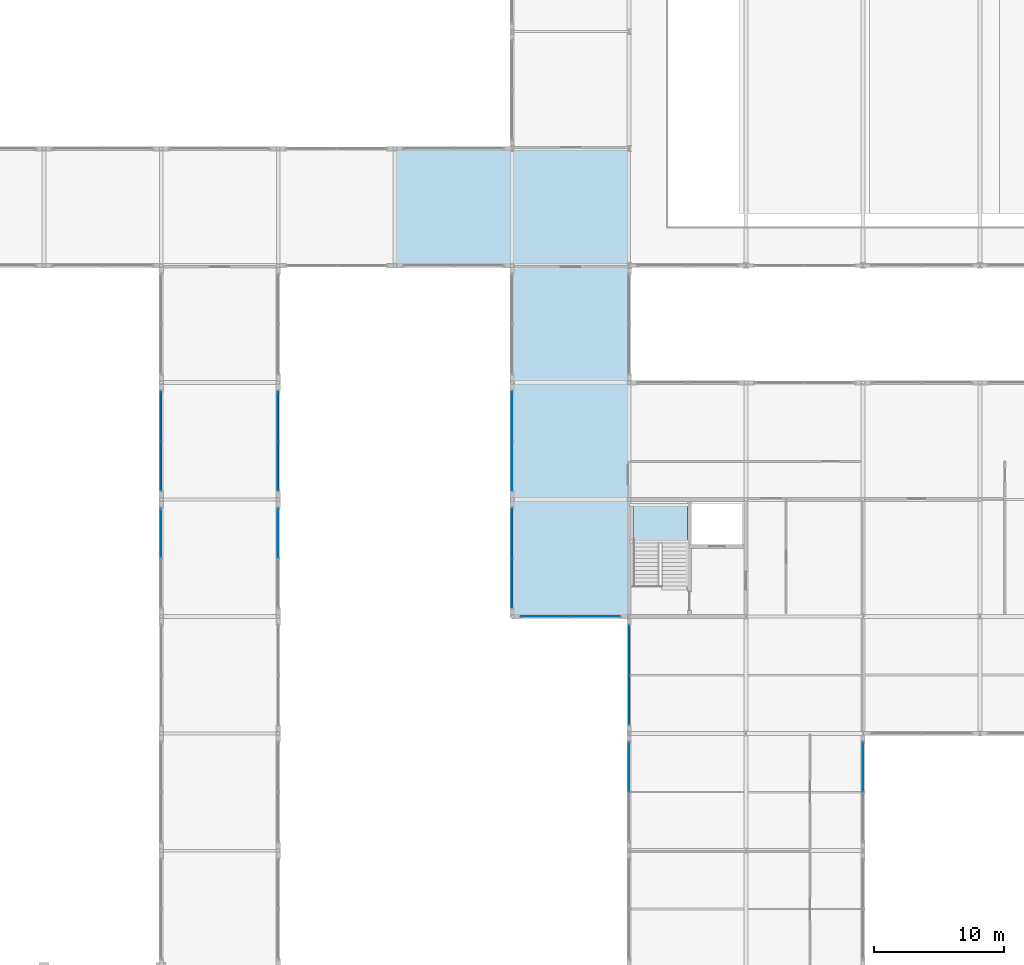
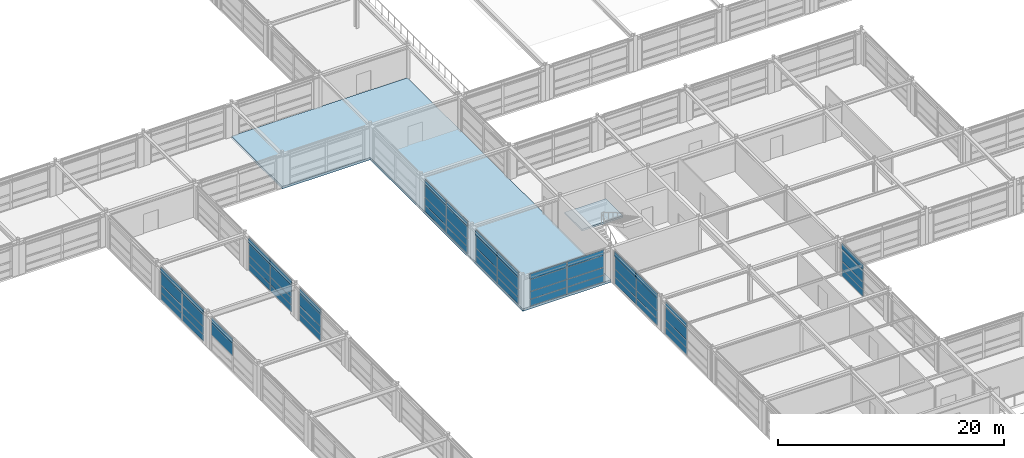
# One storey, part 53 of 79: 62 plates, 2 slabs, 10 elements without a shape of their own.
"""IFC4 building model written with IfcOpenShell, lengths in metres."""

from ifc_helpers import new_model, si_unit, direction, frame, origin, origin_2d, place, context, subcontext, project, spatial, polyline, rectangle, outline, extrude, material, layer, layer_set, type_object, element, aggregate, save


model = new_model("IFC4")

# Units and contexts
model_context = context("Model", 3, precision=1e-05, world=origin(), true_north=direction((0.0, 1.0)))
body_context = subcontext(model_context, "Body", "Model", "MODEL_VIEW")
ifc_project = project(units=[si_unit("LENGTHUNIT", "METRE"), si_unit("AREAUNIT", "SQUARE_METRE"), si_unit("VOLUMEUNIT", "CUBIC_METRE"), si_unit("PLANEANGLEUNIT", "RADIAN"), si_unit("MASSUNIT", "GRAM", prefix="KILO")], contexts=[model_context])

# Site, building, storey
site_placement = place(None, origin())
site = spatial("IfcSite", under=ifc_project, at=site_placement, CompositionType="ELEMENT")
building_placement = place(site_placement, origin())
building = spatial("IfcBuilding", under=site, at=building_placement, Name="Palais des Congres Ocreval", CompositionType="ELEMENT")
storey_placement = place(building_placement, frame((0.0, 0.0, 4.320068359375)))
storey = spatial("IfcBuildingStorey", under=building, at=storey_placement, Name="L01", CompositionType="ELEMENT", Elevation=4.320068359375)

# Curtain wall, plates
ifc_material_1 = material(Name="Anodized bronze aluminium and low-E glass", Category="glass")
curtain_wall_type = type_object("IfcCurtainWallType", Name="Unitised Curtain Wall 7900x3660", PredefinedType="USERDEFINED", material=ifc_material_1)
curtain_wall_1_placement = place(storey_placement, origin())
curtain_wall_1 = element("IfcCurtainWall", 1, at=curtain_wall_1_placement, inside=storey, type_object=curtain_wall_type, Name="Unitised Curtain Wall CW02 L01", ObjectType="UNITISED CURTAIN WALL", PredefinedType="USERDEFINED")
ifc_material_2 = material(Name="Acoustic triple glazing", Category="glass")
ifc_layer_1 = layer(ifc_material_2, 0.0439453125)
ifc_layer_set_1 = layer_set([ifc_layer_1], Name="Acoustic Laminated Glazing Panel 44 (Acoustic triple glazing)")
plate_type_1 = type_object("IfcPlateType", Name="Acoustic Laminated Glazing Panel 44", PredefinedType="CURTAIN_PANEL", material=ifc_layer_set_1)
plate_1_placement = place(storey_placement, frame((108.0, 33.40625, 0.06005859375), z_axis=(0.0, 0.0, 1.0), x_axis=(0.0, 1.0, 0.0)))
plate_1 = element("IfcPlate", 2, at=plate_1_placement, type_object=plate_type_1, Name="Vision Glazing Panel VP02", PredefinedType="CURTAIN_PANEL", context=body_context, shape_type="SweptSolid", body=[
    extrude(rectangle(XDim=3.737548828125, YDim=0.0439453125, at=origin_2d()), origin(), (0.0, 0.0, 1.0), 0.68994140625),
])
plate_2_placement = place(storey_placement, frame((108.0, 33.40625, 0.81005859375), z_axis=(0.0, 0.0, 1.0), x_axis=(0.0, 1.0, 0.0)))
plate_2 = element("IfcPlate", 3, at=plate_2_placement, type_object=plate_type_1, Name="Vision Glazing Panel VP02", PredefinedType="CURTAIN_PANEL", context=body_context, shape_type="SweptSolid", body=[
    extrude(rectangle(XDim=3.737548828125, YDim=0.0439453125, at=origin_2d()), origin(), (0.0, 0.0, 1.0), 0.782470703125),
])
plate_3_placement = place(storey_placement, frame((108.0, 33.40625, 1.65234375), z_axis=(0.0, 0.0, 1.0), x_axis=(0.0, 1.0, 0.0)))
plate_3 = element("IfcPlate", 4, at=plate_3_placement, type_object=plate_type_1, Name="Vision Glazing Panel VP02", PredefinedType="CURTAIN_PANEL", context=body_context, shape_type="SweptSolid", body=[
    extrude(rectangle(XDim=3.737548828125, YDim=0.0439453125, at=origin_2d()), origin(), (0.0, 0.0, 1.0), 1.267578125),
])

curtain_wall_2_placement = place(storey_placement, origin())
curtain_wall_2 = element("IfcCurtainWall", 5, at=curtain_wall_2_placement, inside=storey, type_object=curtain_wall_type, Name="Unitised Curtain Wall CW02 L01", ObjectType="UNITISED CURTAIN WALL", PredefinedType="USERDEFINED")
plate_4_placement = place(storey_placement, frame((99.0, 47.59375, 0.06005859375), z_axis=(0.0, 0.0, 1.0), x_axis=(0.0, 1.0, 0.0)))
plate_4 = element("IfcPlate", 6, at=plate_4_placement, type_object=plate_type_1, Name="Vision Glazing Panel VP02", PredefinedType="CURTAIN_PANEL", context=body_context, shape_type="SweptSolid", body=[
    extrude(rectangle(XDim=3.737548828125, YDim=0.0439453125, at=origin_2d()), origin(), (0.0, 0.0, 1.0), 0.68994140625),
])
plate_5_placement = place(storey_placement, frame((99.0, 47.59375, 0.81005859375), z_axis=(0.0, 0.0, 1.0), x_axis=(0.0, 1.0, 0.0)))
plate_5 = element("IfcPlate", 7, at=plate_5_placement, type_object=plate_type_1, Name="Vision Glazing Panel VP02", PredefinedType="CURTAIN_PANEL", context=body_context, shape_type="SweptSolid", body=[
    extrude(rectangle(XDim=3.737548828125, YDim=0.0439453125, at=origin_2d()), origin(), (0.0, 0.0, 1.0), 0.777099609375),
])
plate_6_placement = place(storey_placement, frame((99.0, 47.59375, 1.64697265625), z_axis=(0.0, 0.0, 1.0), x_axis=(0.0, 1.0, 0.0)))
plate_6 = element("IfcPlate", 8, at=plate_6_placement, type_object=plate_type_1, Name="Vision Glazing Panel VP02", PredefinedType="CURTAIN_PANEL", context=body_context, shape_type="SweptSolid", body=[
    extrude(rectangle(XDim=3.737548828125, YDim=0.0439453125, at=origin_2d()), origin(), (0.0, 0.0, 1.0), 1.262939453125),
])
plate_7_placement = place(storey_placement, frame((99.0, 51.40625, 0.06005859375), z_axis=(0.0, 0.0, 1.0), x_axis=(0.0, 1.0, 0.0)))
plate_7 = element("IfcPlate", 9, at=plate_7_placement, type_object=plate_type_1, Name="Vision Glazing Panel VP02", PredefinedType="CURTAIN_PANEL", context=body_context, shape_type="SweptSolid", body=[
    extrude(rectangle(XDim=3.737548828125, YDim=0.0439453125, at=origin_2d()), origin(), (0.0, 0.0, 1.0), 0.68994140625),
])
plate_8_placement = place(storey_placement, frame((99.0, 51.40625, 0.81005859375), z_axis=(0.0, 0.0, 1.0), x_axis=(0.0, 1.0, 0.0)))
plate_8 = element("IfcPlate", 10, at=plate_8_placement, type_object=plate_type_1, Name="Vision Glazing Panel VP02", PredefinedType="CURTAIN_PANEL", context=body_context, shape_type="SweptSolid", body=[
    extrude(rectangle(XDim=3.737548828125, YDim=0.0439453125, at=origin_2d()), origin(), (0.0, 0.0, 1.0), 0.777099609375),
])
plate_9_placement = place(storey_placement, frame((99.0, 51.40625, 1.64697265625), z_axis=(0.0, 0.0, 1.0), x_axis=(0.0, 1.0, 0.0)))
plate_9 = element("IfcPlate", 11, at=plate_9_placement, type_object=plate_type_1, Name="Vision Glazing Panel VP02", PredefinedType="CURTAIN_PANEL", context=body_context, shape_type="SweptSolid", body=[
    extrude(rectangle(XDim=3.737548828125, YDim=0.0439453125, at=origin_2d()), origin(), (0.0, 0.0, 1.0), 1.262939453125),
])

curtain_wall_3_placement = place(storey_placement, origin())
curtain_wall_3 = element("IfcCurtainWall", 12, at=curtain_wall_3_placement, inside=storey, type_object=curtain_wall_type, Name="Unitised Curtain Wall CW02 L01", ObjectType="UNITISED CURTAIN WALL", PredefinedType="USERDEFINED")
plate_10_placement = place(storey_placement, frame((81.0, 60.40625, 0.06005859375), z_axis=(0.0, 0.0, 1.0), x_axis=(0.0, -1.0, 0.0)))
plate_10 = element("IfcPlate", 13, at=plate_10_placement, type_object=plate_type_1, Name="Vision Glazing Panel VP02", PredefinedType="CURTAIN_PANEL", context=body_context, shape_type="SweptSolid", body=[
    extrude(rectangle(XDim=3.737548828125, YDim=0.0439453125, at=origin_2d()), origin(), (0.0, 0.0, 1.0), 0.68994140625),
])
plate_11_placement = place(storey_placement, frame((81.0, 60.40625, 0.81005859375), z_axis=(0.0, 0.0, 1.0), x_axis=(0.0, -1.0, 0.0)))
plate_11 = element("IfcPlate", 14, at=plate_11_placement, type_object=plate_type_1, Name="Vision Glazing Panel VP02", PredefinedType="CURTAIN_PANEL", context=body_context, shape_type="SweptSolid", body=[
    extrude(rectangle(XDim=3.737548828125, YDim=0.0439453125, at=origin_2d()), origin(), (0.0, 0.0, 1.0), 0.777099609375),
])
plate_12_placement = place(storey_placement, frame((81.0, 60.40625, 1.64697265625), z_axis=(0.0, 0.0, 1.0), x_axis=(0.0, -1.0, 0.0)))
plate_12 = element("IfcPlate", 15, at=plate_12_placement, type_object=plate_type_1, Name="Vision Glazing Panel VP02", PredefinedType="CURTAIN_PANEL", context=body_context, shape_type="SweptSolid", body=[
    extrude(rectangle(XDim=3.737548828125, YDim=0.0439453125, at=origin_2d()), origin(), (0.0, 0.0, 1.0), 1.262939453125),
])
plate_13_placement = place(storey_placement, frame((81.0, 56.59375, 0.06005859375), z_axis=(0.0, 0.0, 1.0), x_axis=(0.0, -1.0, 0.0)))
plate_13 = element("IfcPlate", 16, at=plate_13_placement, type_object=plate_type_1, Name="Vision Glazing Panel VP02", PredefinedType="CURTAIN_PANEL", context=body_context, shape_type="SweptSolid", body=[
    extrude(rectangle(XDim=3.737548828125, YDim=0.0439453125, at=origin_2d()), origin(), (0.0, 0.0, 1.0), 0.68994140625),
])
plate_14_placement = place(storey_placement, frame((81.0, 56.59375, 0.81005859375), z_axis=(0.0, 0.0, 1.0), x_axis=(0.0, -1.0, 0.0)))
plate_14 = element("IfcPlate", 17, at=plate_14_placement, type_object=plate_type_1, Name="Vision Glazing Panel VP02", PredefinedType="CURTAIN_PANEL", context=body_context, shape_type="SweptSolid", body=[
    extrude(rectangle(XDim=3.737548828125, YDim=0.0439453125, at=origin_2d()), origin(), (0.0, 0.0, 1.0), 0.777099609375),
])
plate_15_placement = place(storey_placement, frame((81.0, 56.59375, 1.64697265625), z_axis=(0.0, 0.0, 1.0), x_axis=(0.0, -1.0, 0.0)))
plate_15 = element("IfcPlate", 18, at=plate_15_placement, type_object=plate_type_1, Name="Vision Glazing Panel VP02", PredefinedType="CURTAIN_PANEL", context=body_context, shape_type="SweptSolid", body=[
    extrude(rectangle(XDim=3.737548828125, YDim=0.0439453125, at=origin_2d()), origin(), (0.0, 0.0, 1.0), 1.262939453125),
])

# Curtain wall, plate
curtain_wall_4_placement = place(storey_placement, origin())
curtain_wall_4 = element("IfcCurtainWall", 19, at=curtain_wall_4_placement, inside=storey, type_object=curtain_wall_type, Name="Unitised Curtain Wall CW02 L01", ObjectType="UNITISED CURTAIN WALL", PredefinedType="USERDEFINED")
plate_16_placement = place(storey_placement, frame((72.0, 51.40625, 1.64697265625), z_axis=(0.0, 0.0, 1.0), x_axis=(0.0, 1.0, 0.0)))
plate_16 = element("IfcPlate", 20, at=plate_16_placement, type_object=plate_type_1, Name="Vision Glazing Panel VP02", PredefinedType="CURTAIN_PANEL", context=body_context, shape_type="SweptSolid", body=[
    extrude(rectangle(XDim=3.737548828125, YDim=0.0439453125, at=origin_2d()), origin(), (0.0, 0.0, 1.0), 1.262939453125),
])

# Plate
ifc_material_3 = material(Name="Anodized bronze aluminium", Category="aluminium")
ifc_layer_2 = layer(ifc_material_3, 0.06005859375)
ifc_layer_set_2 = layer_set([ifc_layer_2], Name="Anodized Bronze Spandrel Cassette 60 (Anodized bronze aluminium)")
plate_type_2 = type_object("IfcPlateType", Name="Anodized Bronze Spandrel Cassette 60", PredefinedType="SHEET", material=ifc_layer_set_2)
plate_17_placement = place(storey_placement, frame((108.0, 33.40625, 2.97998046875), z_axis=(0.0, 0.0, 1.0), x_axis=(0.0, 1.0, 0.0)))
plate_17 = element("IfcPlate", 21, at=plate_17_placement, type_object=plate_type_2, Name="Spandrel Sheet SPN1", PredefinedType="SHEET", context=body_context, shape_type="SweptSolid", body=[
    extrude(rectangle(XDim=3.737548828125, YDim=0.06005859375, at=origin_2d()), origin(), (0.0, 0.0, 1.0), 0.56005859375),
])

aggregate(curtain_wall_1, [plate_1, plate_2, plate_3, plate_17])

# Curtain wall, plates
curtain_wall_5_placement = place(storey_placement, origin())
curtain_wall_5 = element("IfcCurtainWall", 22, at=curtain_wall_5_placement, inside=storey, type_object=curtain_wall_type, Name="Unitised Curtain Wall CW02 L01", ObjectType="UNITISED CURTAIN WALL", PredefinedType="USERDEFINED")
plate_18_placement = place(storey_placement, frame((105.40625, 45.0, 2.969970703125), z_axis=(0.0, 0.0, 1.0), x_axis=(-1.0, 0.0, 0.0)))
plate_18 = element("IfcPlate", 23, at=plate_18_placement, type_object=plate_type_2, Name="Spandrel Sheet SPN1", PredefinedType="SHEET", context=body_context, shape_type="SweptSolid", body=[
    extrude(rectangle(XDim=3.737548828125, YDim=0.06005859375, at=origin_2d()), origin(), (0.0, 0.0, 1.0), 0.56005859375),
])
plate_19_placement = place(storey_placement, frame((101.59375, 45.0, 2.969970703125), z_axis=(0.0, 0.0, 1.0), x_axis=(-1.0, 0.0, 0.0)))
plate_19 = element("IfcPlate", 24, at=plate_19_placement, type_object=plate_type_2, Name="Spandrel Sheet SPN1", PredefinedType="SHEET", context=body_context, shape_type="SweptSolid", body=[
    extrude(rectangle(XDim=3.737548828125, YDim=0.06005859375, at=origin_2d()), origin(), (0.0, 0.0, 1.0), 0.56005859375),
])

curtain_wall_6_placement = place(storey_placement, origin())
curtain_wall_6 = element("IfcCurtainWall", 25, at=curtain_wall_6_placement, inside=storey, type_object=curtain_wall_type, Name="Unitised Curtain Wall CW02 L01", ObjectType="UNITISED CURTAIN WALL", PredefinedType="USERDEFINED")
plate_20_placement = place(storey_placement, frame((99.0, 56.59375, 2.969970703125), z_axis=(0.0, 0.0, 1.0), x_axis=(0.0, 1.0, 0.0)))
plate_20 = element("IfcPlate", 26, at=plate_20_placement, type_object=plate_type_2, Name="Spandrel Sheet SPN1", PredefinedType="SHEET", context=body_context, shape_type="SweptSolid", body=[
    extrude(rectangle(XDim=3.737548828125, YDim=0.06005859375, at=origin_2d()), origin(), (0.0, 0.0, 1.0), 0.56005859375),
])
plate_21_placement = place(storey_placement, frame((99.0, 60.40625, 2.969970703125), z_axis=(0.0, 0.0, 1.0), x_axis=(0.0, 1.0, 0.0)))
plate_21 = element("IfcPlate", 27, at=plate_21_placement, type_object=plate_type_2, Name="Spandrel Sheet SPN1", PredefinedType="SHEET", context=body_context, shape_type="SweptSolid", body=[
    extrude(rectangle(XDim=3.737548828125, YDim=0.06005859375, at=origin_2d()), origin(), (0.0, 0.0, 1.0), 0.56005859375),
])

# Curtain wall, plate
curtain_wall_7_placement = place(storey_placement, origin())
curtain_wall_7 = element("IfcCurtainWall", 28, at=curtain_wall_7_placement, inside=storey, type_object=curtain_wall_type, Name="Unitised Curtain Wall CW02 L01", ObjectType="UNITISED CURTAIN WALL", PredefinedType="USERDEFINED")
plate_22_placement = place(storey_placement, frame((81.0, 51.40625, 2.969970703125), z_axis=(0.0, 0.0, 1.0), x_axis=(0.0, -1.0, 0.0)))
plate_22 = element("IfcPlate", 29, at=plate_22_placement, type_object=plate_type_2, Name="Spandrel Sheet SPN1", PredefinedType="SHEET", context=body_context, shape_type="SweptSolid", body=[
    extrude(rectangle(XDim=3.737548828125, YDim=0.06005859375, at=origin_2d()), origin(), (0.0, 0.0, 1.0), 0.56005859375),
])

# Plate
plate_23_placement = place(storey_placement, frame((72.0, 51.40625, 2.969970703125), z_axis=(0.0, 0.0, 1.0), x_axis=(0.0, 1.0, 0.0)))
plate_23 = element("IfcPlate", 30, at=plate_23_placement, type_object=plate_type_2, Name="Spandrel Sheet SPN1", PredefinedType="SHEET", context=body_context, shape_type="SweptSolid", body=[
    extrude(rectangle(XDim=3.737548828125, YDim=0.06005859375, at=origin_2d()), origin(), (0.0, 0.0, 1.0), 0.56005859375),
])

aggregate(curtain_wall_4, [plate_16, plate_23])

# Curtain wall, plate
curtain_wall_8_placement = place(storey_placement, origin())
curtain_wall_8 = element("IfcCurtainWall", 31, at=curtain_wall_8_placement, inside=storey, type_object=curtain_wall_type, Name="Unitised Curtain Wall CW02 L01", ObjectType="UNITISED CURTAIN WALL", PredefinedType="USERDEFINED")
plate_24_placement = place(storey_placement, frame((126.0, 33.40625, 2.97998046875), z_axis=(0.0, 0.0, 1.0), x_axis=(0.0, -1.0, 0.0)))
plate_24 = element("IfcPlate", 32, at=plate_24_placement, type_object=plate_type_2, Name="Spandrel Sheet SPN1", PredefinedType="SHEET", context=body_context, shape_type="SweptSolid", body=[
    extrude(rectangle(XDim=3.737548828125, YDim=0.06005859375, at=origin_2d()), origin(), (0.0, 0.0, 1.0), 0.56005859375),
])

# Slab
ifc_material_4 = material(Name="Concrete C35/45", Category="concrete")
ifc_layer_3 = layer(ifc_material_4, 0.264892578125)
ifc_layer_set_3 = layer_set([ifc_layer_3], Name="Crossroads Gallery Composite Slab 265 Concrete C35/45")
slab_type_1 = type_object("IfcSlabType", Name="Crossroads Gallery Composite Slab 265 Concrete C35/45", PredefinedType="FLOOR", material=ifc_layer_set_3)
slab_1_placement = place(storey_placement, frame((0.0, 0.0, -0.26513671875)))
element("IfcSlab", 33, at=slab_1_placement, inside=storey, type_object=slab_type_1, Name="Floor Slab SL14 L01 V5-6", PredefinedType="FLOOR", context=body_context, shape_type="SweptSolid", body=[
    extrude(outline(polyline([(99.0, 81.0), (108.0, 81.0), (108.0, 72.0), (108.0, 63.0), (108.0, 45.0), (99.0, 45.0), (99.0, 72.0), (90.0, 72.0), (90.0, 81.0), (99.0, 81.0)])), origin(), (0.0, 0.0, 1.0), 0.26513671875),
])

# Curtain wall, plates
curtain_wall_9_placement = place(storey_placement, origin())
curtain_wall_9 = element("IfcCurtainWall", 34, at=curtain_wall_9_placement, inside=storey, type_object=curtain_wall_type, Name="Unitised Curtain Wall CW02 L01", ObjectType="UNITISED CURTAIN WALL", PredefinedType="USERDEFINED")
ifc_material_5 = material(Name="Low-E solar-control double glazing", Category="glass")
ifc_layer_4 = layer(ifc_material_5, 0.031982421875)
ifc_layer_set_4 = layer_set([ifc_layer_4], Name="Galleria Clear Vision Panel 32 (Low-E solar-control double glazing)")
plate_type_3 = type_object("IfcPlateType", Name="Galleria Clear Vision Panel 32", PredefinedType="CURTAIN_PANEL", material=ifc_layer_set_4)
plate_25_placement = place(storey_placement, frame((108.0, 38.59375, 0.06005859375), z_axis=(0.0, 0.0, 1.0), x_axis=(0.0, 1.0, 0.0)))
plate_25 = element("IfcPlate", 35, at=plate_25_placement, type_object=plate_type_3, Name="Vision Glazing Panel VP03", PredefinedType="CURTAIN_PANEL", context=body_context, shape_type="SweptSolid", body=[
    extrude(rectangle(XDim=3.737548828125, YDim=0.031982421875, at=origin_2d()), origin(), (0.0, 0.0, 1.0), 0.68994140625),
])
plate_26_placement = place(storey_placement, frame((108.0, 38.59375, 0.81005859375), z_axis=(0.0, 0.0, 1.0), x_axis=(0.0, 1.0, 0.0)))
plate_26 = element("IfcPlate", 36, at=plate_26_placement, type_object=plate_type_3, Name="Vision Glazing Panel VP03", PredefinedType="CURTAIN_PANEL", context=body_context, shape_type="SweptSolid", body=[
    extrude(rectangle(XDim=3.737548828125, YDim=0.031982421875, at=origin_2d()), origin(), (0.0, 0.0, 1.0), 0.782470703125),
])
plate_27_placement = place(storey_placement, frame((108.0, 38.59375, 1.65234375), z_axis=(0.0, 0.0, 1.0), x_axis=(0.0, 1.0, 0.0)))
plate_27 = element("IfcPlate", 37, at=plate_27_placement, type_object=plate_type_3, Name="Vision Glazing Panel VP03", PredefinedType="CURTAIN_PANEL", context=body_context, shape_type="SweptSolid", body=[
    extrude(rectangle(XDim=3.737548828125, YDim=0.031982421875, at=origin_2d()), origin(), (0.0, 0.0, 1.0), 1.267578125),
])
plate_28_placement = place(storey_placement, frame((108.0, 42.40625, 0.06005859375), z_axis=(0.0, 0.0, 1.0), x_axis=(0.0, 1.0, 0.0)))
plate_28 = element("IfcPlate", 38, at=plate_28_placement, type_object=plate_type_3, Name="Vision Glazing Panel VP03", PredefinedType="CURTAIN_PANEL", context=body_context, shape_type="SweptSolid", body=[
    extrude(rectangle(XDim=3.737548828125, YDim=0.031982421875, at=origin_2d()), origin(), (0.0, 0.0, 1.0), 0.68994140625),
])
plate_29_placement = place(storey_placement, frame((108.0, 42.40625, 0.81005859375), z_axis=(0.0, 0.0, 1.0), x_axis=(0.0, 1.0, 0.0)))
plate_29 = element("IfcPlate", 39, at=plate_29_placement, type_object=plate_type_3, Name="Vision Glazing Panel VP03", PredefinedType="CURTAIN_PANEL", context=body_context, shape_type="SweptSolid", body=[
    extrude(rectangle(XDim=3.737548828125, YDim=0.031982421875, at=origin_2d()), origin(), (0.0, 0.0, 1.0), 0.782470703125),
])
plate_30_placement = place(storey_placement, frame((108.0, 42.40625, 1.65234375), z_axis=(0.0, 0.0, 1.0), x_axis=(0.0, 1.0, 0.0)))
plate_30 = element("IfcPlate", 40, at=plate_30_placement, type_object=plate_type_3, Name="Vision Glazing Panel VP03", PredefinedType="CURTAIN_PANEL", context=body_context, shape_type="SweptSolid", body=[
    extrude(rectangle(XDim=3.737548828125, YDim=0.031982421875, at=origin_2d()), origin(), (0.0, 0.0, 1.0), 1.267578125),
])

# Plate
plate_31_placement = place(storey_placement, frame((99.0, 56.59375, 0.06005859375), z_axis=(0.0, 0.0, 1.0), x_axis=(0.0, 1.0, 0.0)))
plate_31 = element("IfcPlate", 41, at=plate_31_placement, type_object=plate_type_3, Name="Vision Glazing Panel VP03", PredefinedType="CURTAIN_PANEL", context=body_context, shape_type="SweptSolid", body=[
    extrude(rectangle(XDim=3.737548828125, YDim=0.031982421875, at=origin_2d()), origin(), (0.0, 0.0, 1.0), 0.68994140625),
])

plate_32_placement = place(storey_placement, frame((99.0, 56.59375, 0.81005859375), z_axis=(0.0, 0.0, 1.0), x_axis=(0.0, 1.0, 0.0)))
plate_32 = element("IfcPlate", 42, at=plate_32_placement, type_object=plate_type_3, Name="Vision Glazing Panel VP03", PredefinedType="CURTAIN_PANEL", context=body_context, shape_type="SweptSolid", body=[
    extrude(rectangle(XDim=3.737548828125, YDim=0.031982421875, at=origin_2d()), origin(), (0.0, 0.0, 1.0), 0.777099609375),
])

plate_33_placement = place(storey_placement, frame((99.0, 56.59375, 1.64697265625), z_axis=(0.0, 0.0, 1.0), x_axis=(0.0, 1.0, 0.0)))
plate_33 = element("IfcPlate", 43, at=plate_33_placement, type_object=plate_type_3, Name="Vision Glazing Panel VP03", PredefinedType="CURTAIN_PANEL", context=body_context, shape_type="SweptSolid", body=[
    extrude(rectangle(XDim=3.737548828125, YDim=0.031982421875, at=origin_2d()), origin(), (0.0, 0.0, 1.0), 1.262939453125),
])

plate_34_placement = place(storey_placement, frame((99.0, 60.40625, 0.06005859375), z_axis=(0.0, 0.0, 1.0), x_axis=(0.0, 1.0, 0.0)))
plate_34 = element("IfcPlate", 44, at=plate_34_placement, type_object=plate_type_3, Name="Vision Glazing Panel VP03", PredefinedType="CURTAIN_PANEL", context=body_context, shape_type="SweptSolid", body=[
    extrude(rectangle(XDim=3.737548828125, YDim=0.031982421875, at=origin_2d()), origin(), (0.0, 0.0, 1.0), 0.68994140625),
])

plate_35_placement = place(storey_placement, frame((99.0, 60.40625, 0.81005859375), z_axis=(0.0, 0.0, 1.0), x_axis=(0.0, 1.0, 0.0)))
plate_35 = element("IfcPlate", 45, at=plate_35_placement, type_object=plate_type_3, Name="Vision Glazing Panel VP03", PredefinedType="CURTAIN_PANEL", context=body_context, shape_type="SweptSolid", body=[
    extrude(rectangle(XDim=3.737548828125, YDim=0.031982421875, at=origin_2d()), origin(), (0.0, 0.0, 1.0), 0.777099609375),
])

plate_36_placement = place(storey_placement, frame((99.0, 60.40625, 1.64697265625), z_axis=(0.0, 0.0, 1.0), x_axis=(0.0, 1.0, 0.0)))
plate_36 = element("IfcPlate", 46, at=plate_36_placement, type_object=plate_type_3, Name="Vision Glazing Panel VP03", PredefinedType="CURTAIN_PANEL", context=body_context, shape_type="SweptSolid", body=[
    extrude(rectangle(XDim=3.737548828125, YDim=0.031982421875, at=origin_2d()), origin(), (0.0, 0.0, 1.0), 1.262939453125),
])

aggregate(curtain_wall_6, [plate_31, plate_32, plate_33, plate_20, plate_34, plate_35, plate_36, plate_21])

plate_37_placement = place(storey_placement, frame((81.0, 51.40625, 0.06005859375), z_axis=(0.0, 0.0, 1.0), x_axis=(0.0, -1.0, 0.0)))
plate_37 = element("IfcPlate", 47, at=plate_37_placement, type_object=plate_type_3, Name="Vision Glazing Panel VP03", PredefinedType="CURTAIN_PANEL", context=body_context, shape_type="SweptSolid", body=[
    extrude(rectangle(XDim=3.737548828125, YDim=0.031982421875, at=origin_2d()), origin(), (0.0, 0.0, 1.0), 0.68994140625),
])

plate_38_placement = place(storey_placement, frame((81.0, 51.40625, 0.81005859375), z_axis=(0.0, 0.0, 1.0), x_axis=(0.0, -1.0, 0.0)))
plate_38 = element("IfcPlate", 48, at=plate_38_placement, type_object=plate_type_3, Name="Vision Glazing Panel VP03", PredefinedType="CURTAIN_PANEL", context=body_context, shape_type="SweptSolid", body=[
    extrude(rectangle(XDim=3.737548828125, YDim=0.031982421875, at=origin_2d()), origin(), (0.0, 0.0, 1.0), 0.777099609375),
])

plate_39_placement = place(storey_placement, frame((81.0, 51.40625, 1.64697265625), z_axis=(0.0, 0.0, 1.0), x_axis=(0.0, -1.0, 0.0)))
plate_39 = element("IfcPlate", 49, at=plate_39_placement, type_object=plate_type_3, Name="Vision Glazing Panel VP03", PredefinedType="CURTAIN_PANEL", context=body_context, shape_type="SweptSolid", body=[
    extrude(rectangle(XDim=3.737548828125, YDim=0.031982421875, at=origin_2d()), origin(), (0.0, 0.0, 1.0), 1.262939453125),
])

aggregate(curtain_wall_7, [plate_37, plate_38, plate_39, plate_22])

# Curtain wall, plates
curtain_wall_10_placement = place(storey_placement, origin())
curtain_wall_10 = element("IfcCurtainWall", 50, at=curtain_wall_10_placement, inside=storey, type_object=curtain_wall_type, Name="Unitised Curtain Wall CW02 L01", ObjectType="UNITISED CURTAIN WALL", PredefinedType="USERDEFINED")
plate_40_placement = place(storey_placement, frame((72.0, 56.59375, 0.06005859375), z_axis=(0.0, 0.0, 1.0), x_axis=(0.0, 1.0, 0.0)))
plate_40 = element("IfcPlate", 51, at=plate_40_placement, type_object=plate_type_3, Name="Vision Glazing Panel VP03", PredefinedType="CURTAIN_PANEL", context=body_context, shape_type="SweptSolid", body=[
    extrude(rectangle(XDim=3.737548828125, YDim=0.031982421875, at=origin_2d()), origin(), (0.0, 0.0, 1.0), 0.68994140625),
])
plate_41_placement = place(storey_placement, frame((72.0, 56.59375, 0.81005859375), z_axis=(0.0, 0.0, 1.0), x_axis=(0.0, 1.0, 0.0)))
plate_41 = element("IfcPlate", 52, at=plate_41_placement, type_object=plate_type_3, Name="Vision Glazing Panel VP03", PredefinedType="CURTAIN_PANEL", context=body_context, shape_type="SweptSolid", body=[
    extrude(rectangle(XDim=3.737548828125, YDim=0.031982421875, at=origin_2d()), origin(), (0.0, 0.0, 1.0), 0.777099609375),
])
plate_42_placement = place(storey_placement, frame((72.0, 56.59375, 1.64697265625), z_axis=(0.0, 0.0, 1.0), x_axis=(0.0, 1.0, 0.0)))
plate_42 = element("IfcPlate", 53, at=plate_42_placement, type_object=plate_type_3, Name="Vision Glazing Panel VP03", PredefinedType="CURTAIN_PANEL", context=body_context, shape_type="SweptSolid", body=[
    extrude(rectangle(XDim=3.737548828125, YDim=0.031982421875, at=origin_2d()), origin(), (0.0, 0.0, 1.0), 1.262939453125),
])
plate_43_placement = place(storey_placement, frame((72.0, 60.40625, 0.06005859375), z_axis=(0.0, 0.0, 1.0), x_axis=(0.0, 1.0, 0.0)))
plate_43 = element("IfcPlate", 54, at=plate_43_placement, type_object=plate_type_3, Name="Vision Glazing Panel VP03", PredefinedType="CURTAIN_PANEL", context=body_context, shape_type="SweptSolid", body=[
    extrude(rectangle(XDim=3.737548828125, YDim=0.031982421875, at=origin_2d()), origin(), (0.0, 0.0, 1.0), 0.68994140625),
])
plate_44_placement = place(storey_placement, frame((72.0, 60.40625, 0.81005859375), z_axis=(0.0, 0.0, 1.0), x_axis=(0.0, 1.0, 0.0)))
plate_44 = element("IfcPlate", 55, at=plate_44_placement, type_object=plate_type_3, Name="Vision Glazing Panel VP03", PredefinedType="CURTAIN_PANEL", context=body_context, shape_type="SweptSolid", body=[
    extrude(rectangle(XDim=3.737548828125, YDim=0.031982421875, at=origin_2d()), origin(), (0.0, 0.0, 1.0), 0.777099609375),
])
plate_45_placement = place(storey_placement, frame((72.0, 60.40625, 1.64697265625), z_axis=(0.0, 0.0, 1.0), x_axis=(0.0, 1.0, 0.0)))
plate_45 = element("IfcPlate", 56, at=plate_45_placement, type_object=plate_type_3, Name="Vision Glazing Panel VP03", PredefinedType="CURTAIN_PANEL", context=body_context, shape_type="SweptSolid", body=[
    extrude(rectangle(XDim=3.737548828125, YDim=0.031982421875, at=origin_2d()), origin(), (0.0, 0.0, 1.0), 1.262939453125),
])

# Plate
ifc_layer_5 = layer(ifc_material_5, 0.035888671875)
ifc_layer_set_5 = layer_set([ifc_layer_5], Name="Low-E Vision Glazing Panel 36 (Low-E solar-control double glazing)")
plate_type_4 = type_object("IfcPlateType", Name="Low-E Vision Glazing Panel 36", PredefinedType="CURTAIN_PANEL", material=ifc_layer_set_5)
plate_46_placement = place(storey_placement, frame((105.40625, 45.0, 0.06005859375), z_axis=(0.0, 0.0, 1.0), x_axis=(-1.0, 0.0, 0.0)))
plate_46 = element("IfcPlate", 57, at=plate_46_placement, type_object=plate_type_4, Name="Vision Glazing Panel VP01", PredefinedType="CURTAIN_PANEL", context=body_context, shape_type="SweptSolid", body=[
    extrude(rectangle(XDim=3.737548828125, YDim=0.035888671875, at=origin_2d()), origin(), (0.0, 0.0, 1.0), 0.68994140625),
])

plate_47_placement = place(storey_placement, frame((105.40625, 45.0, 0.81005859375), z_axis=(0.0, 0.0, 1.0), x_axis=(-1.0, 0.0, 0.0)))
plate_47 = element("IfcPlate", 58, at=plate_47_placement, type_object=plate_type_4, Name="Vision Glazing Panel VP01", PredefinedType="CURTAIN_PANEL", context=body_context, shape_type="SweptSolid", body=[
    extrude(rectangle(XDim=3.737548828125, YDim=0.035888671875, at=origin_2d()), origin(), (0.0, 0.0, 1.0), 0.777099609375),
])

plate_48_placement = place(storey_placement, frame((105.40625, 45.0, 1.64697265625), z_axis=(0.0, 0.0, 1.0), x_axis=(-1.0, 0.0, 0.0)))
plate_48 = element("IfcPlate", 59, at=plate_48_placement, type_object=plate_type_4, Name="Vision Glazing Panel VP01", PredefinedType="CURTAIN_PANEL", context=body_context, shape_type="SweptSolid", body=[
    extrude(rectangle(XDim=3.737548828125, YDim=0.035888671875, at=origin_2d()), origin(), (0.0, 0.0, 1.0), 1.262939453125),
])

plate_49_placement = place(storey_placement, frame((101.59375, 45.0, 0.06005859375), z_axis=(0.0, 0.0, 1.0), x_axis=(-1.0, 0.0, 0.0)))
plate_49 = element("IfcPlate", 60, at=plate_49_placement, type_object=plate_type_4, Name="Vision Glazing Panel VP01", PredefinedType="CURTAIN_PANEL", context=body_context, shape_type="SweptSolid", body=[
    extrude(rectangle(XDim=3.737548828125, YDim=0.035888671875, at=origin_2d()), origin(), (0.0, 0.0, 1.0), 0.68994140625),
])

plate_50_placement = place(storey_placement, frame((101.59375, 45.0, 0.81005859375), z_axis=(0.0, 0.0, 1.0), x_axis=(-1.0, 0.0, 0.0)))
plate_50 = element("IfcPlate", 61, at=plate_50_placement, type_object=plate_type_4, Name="Vision Glazing Panel VP01", PredefinedType="CURTAIN_PANEL", context=body_context, shape_type="SweptSolid", body=[
    extrude(rectangle(XDim=3.737548828125, YDim=0.035888671875, at=origin_2d()), origin(), (0.0, 0.0, 1.0), 0.777099609375),
])

plate_51_placement = place(storey_placement, frame((101.59375, 45.0, 1.64697265625), z_axis=(0.0, 0.0, 1.0), x_axis=(-1.0, 0.0, 0.0)))
plate_51 = element("IfcPlate", 62, at=plate_51_placement, type_object=plate_type_4, Name="Vision Glazing Panel VP01", PredefinedType="CURTAIN_PANEL", context=body_context, shape_type="SweptSolid", body=[
    extrude(rectangle(XDim=3.737548828125, YDim=0.035888671875, at=origin_2d()), origin(), (0.0, 0.0, 1.0), 1.262939453125),
])

aggregate(curtain_wall_5, [plate_46, plate_47, plate_48, plate_18, plate_49, plate_50, plate_51, plate_19])

plate_52_placement = place(storey_placement, frame((126.0, 33.40625, 0.06005859375), z_axis=(0.0, 0.0, 1.0), x_axis=(0.0, -1.0, 0.0)))
plate_52 = element("IfcPlate", 63, at=plate_52_placement, type_object=plate_type_4, Name="Vision Glazing Panel VP01", PredefinedType="CURTAIN_PANEL", context=body_context, shape_type="SweptSolid", body=[
    extrude(rectangle(XDim=3.737548828125, YDim=0.035888671875, at=origin_2d()), origin(), (0.0, 0.0, 1.0), 0.68994140625),
])

plate_53_placement = place(storey_placement, frame((126.0, 33.40625, 0.81005859375), z_axis=(0.0, 0.0, 1.0), x_axis=(0.0, -1.0, 0.0)))
plate_53 = element("IfcPlate", 64, at=plate_53_placement, type_object=plate_type_4, Name="Vision Glazing Panel VP01", PredefinedType="CURTAIN_PANEL", context=body_context, shape_type="SweptSolid", body=[
    extrude(rectangle(XDim=3.737548828125, YDim=0.035888671875, at=origin_2d()), origin(), (0.0, 0.0, 1.0), 0.782470703125),
])

plate_54_placement = place(storey_placement, frame((126.0, 33.40625, 1.65234375), z_axis=(0.0, 0.0, 1.0), x_axis=(0.0, -1.0, 0.0)))
plate_54 = element("IfcPlate", 65, at=plate_54_placement, type_object=plate_type_4, Name="Vision Glazing Panel VP01", PredefinedType="CURTAIN_PANEL", context=body_context, shape_type="SweptSolid", body=[
    extrude(rectangle(XDim=3.737548828125, YDim=0.035888671875, at=origin_2d()), origin(), (0.0, 0.0, 1.0), 1.267578125),
])

aggregate(curtain_wall_8, [plate_52, plate_53, plate_54, plate_24])

# Slab
ifc_material_6 = material(Name="Concrete C40/50", Category="concrete")
ifc_layer_6 = layer(ifc_material_6, 0.199951171875)
ifc_layer_set_6 = layer_set([ifc_layer_6], Name="Stair and Ramp Landing Slab 200 Concrete C40/50")
slab_type_2 = type_object("IfcSlabType", Name="Stair and Ramp Landing Slab 200 Concrete C40/50", PredefinedType="LANDING", material=ifc_layer_set_6)
slab_2_placement = place(storey_placement, frame((0.0, 0.0, 1.719970703125)))
element("IfcSlab", 66, at=slab_2_placement, inside=storey, type_object=slab_type_2, Name="Stair Half-Landing ST10 L01", PredefinedType="LANDING", context=body_context, shape_type="SweptSolid", body=[
    extrude(outline(polyline([(108.300048828125, 50.64990234375), (112.5, 50.64990234375), (112.5, 53.699951171875), (108.300048828125, 53.699951171875), (108.300048828125, 50.64990234375)])), origin(), (0.0, 0.0, 1.0), 0.199951171875),
])

# Plate
ifc_material_7 = material(Name="Terracotta ceramic spandrel", Category="masonry")
ifc_layer_7 = layer(ifc_material_7, 0.080078125)
ifc_layer_set_7 = layer_set([ifc_layer_7], Name="Terracotta Insulated Spandrel Sheet 80 (Terracotta ceramic spandrel)")
plate_type_5 = type_object("IfcPlateType", Name="Terracotta Insulated Spandrel Sheet 80", PredefinedType="SHEET", material=ifc_layer_set_7)
plate_55_placement = place(storey_placement, frame((108.0, 38.59375, 2.97998046875), z_axis=(0.0, 0.0, 1.0), x_axis=(0.0, 1.0, 0.0)))
plate_55 = element("IfcPlate", 67, at=plate_55_placement, type_object=plate_type_5, Name="Spandrel Sheet SPN2", PredefinedType="SHEET", context=body_context, shape_type="SweptSolid", body=[
    extrude(rectangle(XDim=3.737548828125, YDim=0.080078125, at=origin_2d()), origin(), (0.0, 0.0, 1.0), 0.56005859375),
])

plate_56_placement = place(storey_placement, frame((108.0, 42.40625, 2.97998046875), z_axis=(0.0, 0.0, 1.0), x_axis=(0.0, 1.0, 0.0)))
plate_56 = element("IfcPlate", 68, at=plate_56_placement, type_object=plate_type_5, Name="Spandrel Sheet SPN2", PredefinedType="SHEET", context=body_context, shape_type="SweptSolid", body=[
    extrude(rectangle(XDim=3.737548828125, YDim=0.080078125, at=origin_2d()), origin(), (0.0, 0.0, 1.0), 0.56005859375),
])

aggregate(curtain_wall_9, [plate_25, plate_26, plate_27, plate_55, plate_28, plate_29, plate_30, plate_56])

plate_57_placement = place(storey_placement, frame((99.0, 47.59375, 2.969970703125), z_axis=(0.0, 0.0, 1.0), x_axis=(0.0, 1.0, 0.0)))
plate_57 = element("IfcPlate", 69, at=plate_57_placement, type_object=plate_type_5, Name="Spandrel Sheet SPN2", PredefinedType="SHEET", context=body_context, shape_type="SweptSolid", body=[
    extrude(rectangle(XDim=3.737548828125, YDim=0.080078125, at=origin_2d()), origin(), (0.0, 0.0, 1.0), 0.56005859375),
])

plate_58_placement = place(storey_placement, frame((99.0, 51.40625, 2.969970703125), z_axis=(0.0, 0.0, 1.0), x_axis=(0.0, 1.0, 0.0)))
plate_58 = element("IfcPlate", 70, at=plate_58_placement, type_object=plate_type_5, Name="Spandrel Sheet SPN2", PredefinedType="SHEET", context=body_context, shape_type="SweptSolid", body=[
    extrude(rectangle(XDim=3.737548828125, YDim=0.080078125, at=origin_2d()), origin(), (0.0, 0.0, 1.0), 0.56005859375),
])

aggregate(curtain_wall_2, [plate_4, plate_5, plate_6, plate_57, plate_7, plate_8, plate_9, plate_58])

plate_59_placement = place(storey_placement, frame((81.0, 60.40625, 2.969970703125), z_axis=(0.0, 0.0, 1.0), x_axis=(0.0, -1.0, 0.0)))
plate_59 = element("IfcPlate", 71, at=plate_59_placement, type_object=plate_type_5, Name="Spandrel Sheet SPN2", PredefinedType="SHEET", context=body_context, shape_type="SweptSolid", body=[
    extrude(rectangle(XDim=3.737548828125, YDim=0.080078125, at=origin_2d()), origin(), (0.0, 0.0, 1.0), 0.56005859375),
])

plate_60_placement = place(storey_placement, frame((81.0, 56.59375, 2.969970703125), z_axis=(0.0, 0.0, 1.0), x_axis=(0.0, -1.0, 0.0)))
plate_60 = element("IfcPlate", 72, at=plate_60_placement, type_object=plate_type_5, Name="Spandrel Sheet SPN2", PredefinedType="SHEET", context=body_context, shape_type="SweptSolid", body=[
    extrude(rectangle(XDim=3.737548828125, YDim=0.080078125, at=origin_2d()), origin(), (0.0, 0.0, 1.0), 0.56005859375),
])

aggregate(curtain_wall_3, [plate_10, plate_11, plate_12, plate_59, plate_13, plate_14, plate_15, plate_60])

plate_61_placement = place(storey_placement, frame((72.0, 56.59375, 2.969970703125), z_axis=(0.0, 0.0, 1.0), x_axis=(0.0, 1.0, 0.0)))
plate_61 = element("IfcPlate", 73, at=plate_61_placement, type_object=plate_type_5, Name="Spandrel Sheet SPN2", PredefinedType="SHEET", context=body_context, shape_type="SweptSolid", body=[
    extrude(rectangle(XDim=3.737548828125, YDim=0.080078125, at=origin_2d()), origin(), (0.0, 0.0, 1.0), 0.56005859375),
])

plate_62_placement = place(storey_placement, frame((72.0, 60.40625, 2.969970703125), z_axis=(0.0, 0.0, 1.0), x_axis=(0.0, 1.0, 0.0)))
plate_62 = element("IfcPlate", 74, at=plate_62_placement, type_object=plate_type_5, Name="Spandrel Sheet SPN2", PredefinedType="SHEET", context=body_context, shape_type="SweptSolid", body=[
    extrude(rectangle(XDim=3.737548828125, YDim=0.080078125, at=origin_2d()), origin(), (0.0, 0.0, 1.0), 0.56005859375),
])

aggregate(curtain_wall_10, [plate_40, plate_41, plate_42, plate_61, plate_43, plate_44, plate_45, plate_62])

save(model, "model.ifc")
